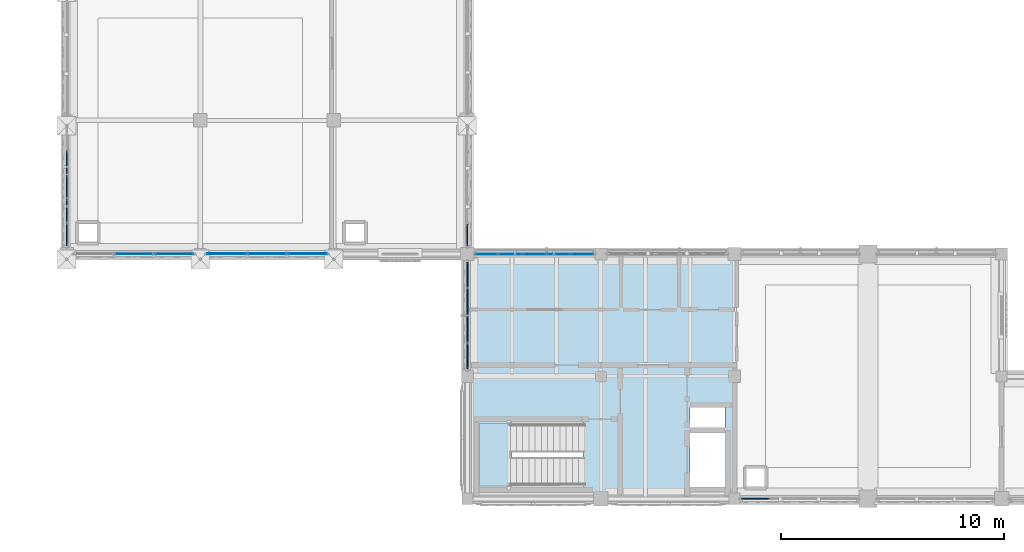
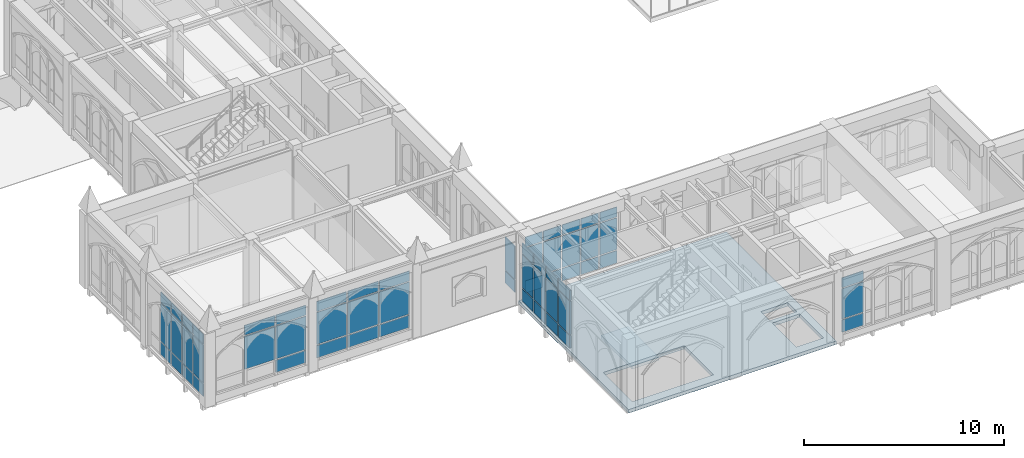
# One storey, part 63 of 127: 58 plates, 2 slabs, 8 elements without a shape of their own.
"""IFC4 building model written with IfcOpenShell, lengths in metres."""

from ifc_helpers import new_model, si_unit, direction, frame, origin, origin_2d, place, context, subcontext, project, spatial, polyline, rectangle, outline, extrude, material, layer, layer_set, type_object, element, aggregate, save


model = new_model("IFC4")

# Units and contexts
model_context = context("Model", 3, precision=1e-05, world=origin(), true_north=direction((0.0, 1.0)))
body_context = subcontext(model_context, "Body", "Model", "MODEL_VIEW")
ifc_project = project(units=[si_unit("LENGTHUNIT", "METRE"), si_unit("AREAUNIT", "SQUARE_METRE"), si_unit("VOLUMEUNIT", "CUBIC_METRE"), si_unit("PLANEANGLEUNIT", "RADIAN"), si_unit("MASSUNIT", "GRAM", prefix="KILO")], contexts=[model_context])

# Site, building, storey
site_placement = place(None, origin())
site = spatial("IfcSite", under=ifc_project, at=site_placement, CompositionType="ELEMENT")
building_placement = place(site_placement, origin())
building = spatial("IfcBuilding", under=site, at=building_placement, Name="Cumevento Cable Car Station", CompositionType="ELEMENT")
storey_placement = place(building_placement, frame((0.0, 0.0, 4.5)))
storey = spatial("IfcBuildingStorey", under=building, at=storey_placement, Name="L02", CompositionType="ELEMENT", Elevation=4.5)

# Slab
ifc_material_1 = material(Name="Concrete C40/50", Category="concrete")
ifc_layer_1 = layer(ifc_material_1, 0.2119140625)
ifc_layer_set_1 = layer_set([ifc_layer_1], Name="Concrete C40/50")
slab_type_1 = type_object("IfcSlabType", Name="Concrete Deck FS-212 212", PredefinedType="FLOOR", material=ifc_layer_set_1)
slab_1_placement = place(storey_placement, frame((0.0, 0.0, -0.2119140625)))
element("IfcSlab", 1, at=slab_1_placement, inside=storey, type_object=slab_type_1, Name="Floor Slab FS-212 L02 B_V1a.1", PredefinedType="FLOOR", context=body_context, shape_type="SweptSolid", body=[
    extrude(outline(polyline([(22.0, 4.0), (34.0, 4.0), (34.0, 15.0), (22.0, 15.0), (22.0, 4.0)]), holes=[polyline([(32.010009765625, 4.5400390625), (33.580078125, 4.5400390625), (33.580078125, 6.9599609375), (32.010009765625, 6.9599609375), (32.010009765625, 4.5400390625)]), polyline([(22.52001953125, 4.52001953125), (27.199951171875, 4.52001953125), (27.199951171875, 7.449951171875), (22.52001953125, 7.449951171875), (22.52001953125, 4.52001953125)]), polyline([(32.010009765625, 7.199951171875), (33.580078125, 7.199951171875), (33.580078125, 8.10009765625), (32.010009765625, 8.10009765625), (32.010009765625, 7.199951171875)])]), origin(), (0.0, 0.0, 1.0), 0.2119140625),
])

# Curtain wall, plates
ifc_material_2 = material(Name="Anodised Bronze Aluminium AW-6063-T6", Category="aluminium")
ifc_layer_2 = layer(ifc_material_2, 0.172119140625)
ifc_layer_set_2 = layer_set([ifc_layer_2], Name="Anodised Bronze Aluminium AW-6063-T6")
curtain_wall_type_1 = type_object("IfcCurtainWallType", Name="Lancet Curtain Wall CW-03 1130", PredefinedType="NOTDEFINED", material=ifc_layer_set_2)
curtain_wall_1_placement = place(storey_placement, origin())
curtain_wall_1 = element("IfcCurtainWall", 2, at=curtain_wall_1_placement, inside=storey, type_object=curtain_wall_type_1, Name="Lancet Curtain Wall CW-03 L02 #18", PredefinedType="NOTDEFINED")
ifc_material_3 = material(Name="Solar Control Laminated Double Glazing", Category="glass")
ifc_layer_3 = layer(ifc_material_3, 0.0380859375)
ifc_layer_set_3 = layer_set([ifc_layer_3], Name="Solar Control Laminated Double Glazing")
plate_type_1 = type_object("IfcPlateType", Name="Glazed Panel CWP-05 38", PredefinedType="CURTAIN_PANEL", material=ifc_layer_set_3)
plate_1_placement = place(storey_placement, frame((22.858642578125, 15.0, 0.324951171875), z_axis=(0.0, 0.0, 1.0), x_axis=(1.0, 0.0, 0.0)))
plate_1 = element("IfcPlate", 3, at=plate_1_placement, type_object=plate_type_1, Name="CW-03 panel 1.1", PredefinedType="CURTAIN_PANEL", context=body_context, shape_type="SweptSolid", body=[
    extrude(rectangle(XDim=0.987548828125, YDim=0.0380859375, at=origin_2d()), origin(), (0.0, 0.0, 1.0), 0.75244140625),
])
plate_2_placement = place(storey_placement, frame((22.858642578125, 15.0, 1.142578125), z_axis=(0.0, 0.0, 1.0), x_axis=(1.0, 0.0, 0.0)))
plate_2 = element("IfcPlate", 4, at=plate_2_placement, type_object=plate_type_1, Name="CW-03 panel 1.2", PredefinedType="CURTAIN_PANEL", context=body_context, shape_type="SweptSolid", body=[
    extrude(rectangle(XDim=0.987548828125, YDim=0.0380859375, at=origin_2d()), origin(), (0.0, 0.0, 1.0), 1.93408203125),
])
plate_3_placement = place(storey_placement, frame((22.858642578125, 15.0, 3.1416015625), z_axis=(0.0, 0.0, 1.0), x_axis=(1.0, 0.0, 0.0)))
plate_3 = element("IfcPlate", 5, at=plate_3_placement, type_object=plate_type_1, Name="CW-03 panel 1.3", PredefinedType="CURTAIN_PANEL", context=body_context, shape_type="SweptSolid", body=[
    extrude(rectangle(XDim=0.987548828125, YDim=0.0380859375, at=origin_2d()), origin(), (0.0, 0.0, 1.0), 0.6025390625),
])
plate_4_placement = place(storey_placement, frame((23.927490234375, 15.0, 0.324951171875), z_axis=(0.0, 0.0, 1.0), x_axis=(1.0, 0.0, 0.0)))
plate_4 = element("IfcPlate", 6, at=plate_4_placement, type_object=plate_type_1, Name="CW-03 panel 2.1", PredefinedType="CURTAIN_PANEL", context=body_context, shape_type="SweptSolid", body=[
    extrude(rectangle(XDim=1.02001953125, YDim=0.0380859375, at=origin_2d()), origin(), (0.0, 0.0, 1.0), 0.75244140625),
])
plate_5_placement = place(storey_placement, frame((23.927490234375, 15.0, 1.142578125), z_axis=(0.0, 0.0, 1.0), x_axis=(1.0, 0.0, 0.0)))
plate_5 = element("IfcPlate", 7, at=plate_5_placement, type_object=plate_type_1, Name="CW-03 panel 2.2", PredefinedType="CURTAIN_PANEL", context=body_context, shape_type="SweptSolid", body=[
    extrude(rectangle(XDim=1.02001953125, YDim=0.0380859375, at=origin_2d()), origin(), (0.0, 0.0, 1.0), 1.93408203125),
])
plate_6_placement = place(storey_placement, frame((23.927490234375, 15.0, 3.1416015625), z_axis=(0.0, 0.0, 1.0), x_axis=(1.0, 0.0, 0.0)))
plate_6 = element("IfcPlate", 8, at=plate_6_placement, type_object=plate_type_1, Name="CW-03 panel 2.3", PredefinedType="CURTAIN_PANEL", context=body_context, shape_type="SweptSolid", body=[
    extrude(rectangle(XDim=1.02001953125, YDim=0.0380859375, at=origin_2d()), origin(), (0.0, 0.0, 1.0), 0.6025390625),
])
plate_7_placement = place(storey_placement, frame((25.012451171875, 15.0, 0.324951171875), z_axis=(0.0, 0.0, 1.0), x_axis=(1.0, 0.0, 0.0)))
plate_7 = element("IfcPlate", 9, at=plate_7_placement, type_object=plate_type_1, Name="CW-03 panel 3.1", PredefinedType="CURTAIN_PANEL", context=body_context, shape_type="SweptSolid", body=[
    extrude(rectangle(XDim=1.02001953125, YDim=0.0380859375, at=origin_2d()), origin(), (0.0, 0.0, 1.0), 0.75244140625),
])
plate_8_placement = place(storey_placement, frame((25.012451171875, 15.0, 1.142578125), z_axis=(0.0, 0.0, 1.0), x_axis=(1.0, 0.0, 0.0)))
plate_8 = element("IfcPlate", 10, at=plate_8_placement, type_object=plate_type_1, Name="CW-03 panel 3.2", PredefinedType="CURTAIN_PANEL", context=body_context, shape_type="SweptSolid", body=[
    extrude(rectangle(XDim=1.02001953125, YDim=0.0380859375, at=origin_2d()), origin(), (0.0, 0.0, 1.0), 1.93408203125),
])
plate_9_placement = place(storey_placement, frame((25.012451171875, 15.0, 3.1416015625), z_axis=(0.0, 0.0, 1.0), x_axis=(1.0, 0.0, 0.0)))
plate_9 = element("IfcPlate", 11, at=plate_9_placement, type_object=plate_type_1, Name="CW-03 panel 3.3", PredefinedType="CURTAIN_PANEL", context=body_context, shape_type="SweptSolid", body=[
    extrude(rectangle(XDim=1.02001953125, YDim=0.0380859375, at=origin_2d()), origin(), (0.0, 0.0, 1.0), 0.6025390625),
])
plate_10_placement = place(storey_placement, frame((26.097412109375, 15.0, 0.324951171875), z_axis=(0.0, 0.0, 1.0), x_axis=(1.0, 0.0, 0.0)))
plate_10 = element("IfcPlate", 12, at=plate_10_placement, type_object=plate_type_1, Name="CW-03 panel 4.1", PredefinedType="CURTAIN_PANEL", context=body_context, shape_type="SweptSolid", body=[
    extrude(rectangle(XDim=1.02001953125, YDim=0.0380859375, at=origin_2d()), origin(), (0.0, 0.0, 1.0), 0.75244140625),
])
plate_11_placement = place(storey_placement, frame((26.097412109375, 15.0, 1.142578125), z_axis=(0.0, 0.0, 1.0), x_axis=(1.0, 0.0, 0.0)))
plate_11 = element("IfcPlate", 13, at=plate_11_placement, type_object=plate_type_1, Name="CW-03 panel 4.2", PredefinedType="CURTAIN_PANEL", context=body_context, shape_type="SweptSolid", body=[
    extrude(rectangle(XDim=1.02001953125, YDim=0.0380859375, at=origin_2d()), origin(), (0.0, 0.0, 1.0), 1.93408203125),
])
plate_12_placement = place(storey_placement, frame((26.097412109375, 15.0, 3.1416015625), z_axis=(0.0, 0.0, 1.0), x_axis=(1.0, 0.0, 0.0)))
plate_12 = element("IfcPlate", 14, at=plate_12_placement, type_object=plate_type_1, Name="CW-03 panel 4.3", PredefinedType="CURTAIN_PANEL", context=body_context, shape_type="SweptSolid", body=[
    extrude(rectangle(XDim=1.02001953125, YDim=0.0380859375, at=origin_2d()), origin(), (0.0, 0.0, 1.0), 0.6025390625),
])
plate_13_placement = place(storey_placement, frame((27.166259765625, 15.0, 0.324951171875), z_axis=(0.0, 0.0, 1.0), x_axis=(1.0, 0.0, 0.0)))
plate_13 = element("IfcPlate", 15, at=plate_13_placement, type_object=plate_type_1, Name="CW-03 panel 5.1", PredefinedType="CURTAIN_PANEL", context=body_context, shape_type="SweptSolid", body=[
    extrude(rectangle(XDim=0.987548828125, YDim=0.0380859375, at=origin_2d()), origin(), (0.0, 0.0, 1.0), 0.75244140625),
])
plate_14_placement = place(storey_placement, frame((27.166259765625, 15.0, 1.142578125), z_axis=(0.0, 0.0, 1.0), x_axis=(1.0, 0.0, 0.0)))
plate_14 = element("IfcPlate", 16, at=plate_14_placement, type_object=plate_type_1, Name="CW-03 panel 5.2", PredefinedType="CURTAIN_PANEL", context=body_context, shape_type="SweptSolid", body=[
    extrude(rectangle(XDim=0.987548828125, YDim=0.0380859375, at=origin_2d()), origin(), (0.0, 0.0, 1.0), 1.93408203125),
])
plate_15_placement = place(storey_placement, frame((27.166259765625, 15.0, 3.1416015625), z_axis=(0.0, 0.0, 1.0), x_axis=(1.0, 0.0, 0.0)))
plate_15 = element("IfcPlate", 17, at=plate_15_placement, type_object=plate_type_1, Name="CW-03 panel 5.3", PredefinedType="CURTAIN_PANEL", context=body_context, shape_type="SweptSolid", body=[
    extrude(rectangle(XDim=0.987548828125, YDim=0.0380859375, at=origin_2d()), origin(), (0.0, 0.0, 1.0), 0.6025390625),
])
aggregate(curtain_wall_1, [plate_1, plate_2, plate_3, plate_4, plate_5, plate_6, plate_7, plate_8, plate_9, plate_10, plate_11, plate_12, plate_13, plate_14, plate_15])

ifc_material_4 = material(Name="Anodised Bronze Aluminium AW-6063-T6", Category="aluminium")
ifc_layer_4 = layer(ifc_material_4, 0.243896484375)
ifc_layer_set_4 = layer_set([ifc_layer_4], Name="Anodised Bronze Aluminium AW-6063-T6")
curtain_wall_type_2 = type_object("IfcCurtainWallType", Name="Lancet Curtain Wall CW-15 1610", PredefinedType="NOTDEFINED", material=ifc_layer_set_4)
curtain_wall_2_placement = place(storey_placement, origin())
curtain_wall_2 = element("IfcCurtainWall", 18, at=curtain_wall_2_placement, inside=storey, type_object=curtain_wall_type_2, Name="Lancet Curtain Wall CW-15 L02 #46", PredefinedType="NOTDEFINED")
plate_16_placement = place(storey_placement, frame((8.825439453125, 15.0, 0.525146484375), z_axis=(0.0, 0.0, 1.0), x_axis=(-1.0, 0.0, 0.0)))
plate_16 = element("IfcPlate", 19, at=plate_16_placement, type_object=plate_type_1, Name="CW-15 panel 1.1", PredefinedType="CURTAIN_PANEL", context=body_context, shape_type="SweptSolid", body=[
    extrude(rectangle(XDim=1.71923828125, YDim=0.0380859375, at=origin_2d()), origin(), (0.0, 0.0, 1.0), 0.75244140625),
])
plate_17_placement = place(storey_placement, frame((8.825439453125, 15.0, 1.342529296875), z_axis=(0.0, 0.0, 1.0), x_axis=(-1.0, 0.0, 0.0)))
plate_17 = element("IfcPlate", 20, at=plate_17_placement, type_object=plate_type_1, Name="CW-15 panel 1.2", PredefinedType="CURTAIN_PANEL", context=body_context, shape_type="SweptSolid", body=[
    extrude(rectangle(XDim=1.71923828125, YDim=0.0380859375, at=origin_2d()), origin(), (0.0, 0.0, 1.0), 2.01806640625),
])
plate_18_placement = place(storey_placement, frame((8.825439453125, 15.0, 3.425537109375), z_axis=(0.0, 0.0, 1.0), x_axis=(-1.0, 0.0, 0.0)))
plate_18 = element("IfcPlate", 21, at=plate_18_placement, type_object=plate_type_1, Name="CW-15 panel 1.3", PredefinedType="CURTAIN_PANEL", context=body_context, shape_type="SweptSolid", body=[
    extrude(rectangle(XDim=1.71923828125, YDim=0.0380859375, at=origin_2d()), origin(), (0.0, 0.0, 1.0), 0.6025390625),
])
plate_19_placement = place(storey_placement, frame((7.02490234375, 15.0, 1.342529296875), z_axis=(0.0, 0.0, 1.0), x_axis=(-1.0, 0.0, 0.0)))
plate_19 = element("IfcPlate", 22, at=plate_19_placement, type_object=plate_type_1, Name="CW-15 panel 2.2", PredefinedType="CURTAIN_PANEL", context=body_context, shape_type="SweptSolid", body=[
    extrude(rectangle(XDim=1.751708984375, YDim=0.0380859375, at=origin_2d()), origin(), (0.0, 0.0, 1.0), 2.01806640625),
])
plate_20_placement = place(storey_placement, frame((7.02490234375, 15.0, 3.425537109375), z_axis=(0.0, 0.0, 1.0), x_axis=(-1.0, 0.0, 0.0)))
plate_20 = element("IfcPlate", 23, at=plate_20_placement, type_object=plate_type_1, Name="CW-15 panel 2.3", PredefinedType="CURTAIN_PANEL", context=body_context, shape_type="SweptSolid", body=[
    extrude(rectangle(XDim=1.751708984375, YDim=0.0380859375, at=origin_2d()), origin(), (0.0, 0.0, 1.0), 0.6025390625),
])
aggregate(curtain_wall_2, [plate_16, plate_17, plate_18, plate_19, plate_20])

ifc_material_5 = material(Name="Anodised Bronze Aluminium AW-6063-T6", Category="aluminium")
ifc_layer_5 = layer(ifc_material_5, 0.25)
ifc_layer_set_5 = layer_set([ifc_layer_5], Name="Anodised Bronze Aluminium AW-6063-T6")
curtain_wall_type_3 = type_object("IfcCurtainWallType", Name="Lancet Curtain Wall CW-16 1650", PredefinedType="NOTDEFINED", material=ifc_layer_set_5)
curtain_wall_3_placement = place(storey_placement, origin())
curtain_wall_3 = element("IfcCurtainWall", 24, at=curtain_wall_3_placement, inside=storey, type_object=curtain_wall_type_3, Name="Lancet Curtain Wall CW-16 L02 #47", PredefinedType="NOTDEFINED")
ifc_material_6 = material(Name="Solar Control Laminated Double Glazing", Category="glass")
ifc_layer_6 = layer(ifc_material_6, 0.0419921875)
ifc_layer_set_6 = layer_set([ifc_layer_6], Name="Solar Control Laminated Double Glazing")
plate_type_2 = type_object("IfcPlateType", Name="Glazed Panel CWP-06 42", PredefinedType="CURTAIN_PANEL", material=ifc_layer_set_6)
plate_21_placement = place(storey_placement, frame((14.817138671875, 15.0, 0.5849609375), z_axis=(0.0, 0.0, 1.0), x_axis=(-1.0, 0.0, 0.0)))
plate_21 = element("IfcPlate", 25, at=plate_21_placement, type_object=plate_type_2, Name="CW-16 panel 1.1", PredefinedType="CURTAIN_PANEL", context=body_context, shape_type="SweptSolid", body=[
    extrude(rectangle(XDim=1.73583984375, YDim=0.0419921875, at=origin_2d()), origin(), (0.0, 0.0, 1.0), 0.75244140625),
])
plate_22_placement = place(storey_placement, frame((14.817138671875, 15.0, 1.402587890625), z_axis=(0.0, 0.0, 1.0), x_axis=(-1.0, 0.0, 0.0)))
plate_22 = element("IfcPlate", 26, at=plate_22_placement, type_object=plate_type_2, Name="CW-16 panel 1.2", PredefinedType="CURTAIN_PANEL", context=body_context, shape_type="SweptSolid", body=[
    extrude(rectangle(XDim=1.73583984375, YDim=0.0419921875, at=origin_2d()), origin(), (0.0, 0.0, 1.0), 1.9580078125),
])
plate_23_placement = place(storey_placement, frame((14.817138671875, 15.0, 3.425537109375), z_axis=(0.0, 0.0, 1.0), x_axis=(-1.0, 0.0, 0.0)))
plate_23 = element("IfcPlate", 27, at=plate_23_placement, type_object=plate_type_2, Name="CW-16 panel 1.3", PredefinedType="CURTAIN_PANEL", context=body_context, shape_type="SweptSolid", body=[
    extrude(rectangle(XDim=1.73583984375, YDim=0.0419921875, at=origin_2d()), origin(), (0.0, 0.0, 1.0), 0.6025390625),
])
plate_24_placement = place(storey_placement, frame((13.0, 15.0, 0.5849609375), z_axis=(0.0, 0.0, 1.0), x_axis=(-1.0, 0.0, 0.0)))
plate_24 = element("IfcPlate", 28, at=plate_24_placement, type_object=plate_type_2, Name="CW-16 panel 2.1", PredefinedType="CURTAIN_PANEL", context=body_context, shape_type="SweptSolid", body=[
    extrude(rectangle(XDim=1.768310546875, YDim=0.0419921875, at=origin_2d()), origin(), (0.0, 0.0, 1.0), 0.75244140625),
])
plate_25_placement = place(storey_placement, frame((13.0, 15.0, 1.402587890625), z_axis=(0.0, 0.0, 1.0), x_axis=(-1.0, 0.0, 0.0)))
plate_25 = element("IfcPlate", 29, at=plate_25_placement, type_object=plate_type_2, Name="CW-16 panel 2.2", PredefinedType="CURTAIN_PANEL", context=body_context, shape_type="SweptSolid", body=[
    extrude(rectangle(XDim=1.768310546875, YDim=0.0419921875, at=origin_2d()), origin(), (0.0, 0.0, 1.0), 1.9580078125),
])
plate_26_placement = place(storey_placement, frame((13.0, 15.0, 3.425537109375), z_axis=(0.0, 0.0, 1.0), x_axis=(-1.0, 0.0, 0.0)))
plate_26 = element("IfcPlate", 30, at=plate_26_placement, type_object=plate_type_2, Name="CW-16 panel 2.3", PredefinedType="CURTAIN_PANEL", context=body_context, shape_type="SweptSolid", body=[
    extrude(rectangle(XDim=1.768310546875, YDim=0.0419921875, at=origin_2d()), origin(), (0.0, 0.0, 1.0), 0.6025390625),
])
plate_27_placement = place(storey_placement, frame((11.182861328125, 15.0, 0.5849609375), z_axis=(0.0, 0.0, 1.0), x_axis=(-1.0, 0.0, 0.0)))
plate_27 = element("IfcPlate", 31, at=plate_27_placement, type_object=plate_type_2, Name="CW-16 panel 3.1", PredefinedType="CURTAIN_PANEL", context=body_context, shape_type="SweptSolid", body=[
    extrude(rectangle(XDim=1.73583984375, YDim=0.0419921875, at=origin_2d()), origin(), (0.0, 0.0, 1.0), 0.75244140625),
])
plate_28_placement = place(storey_placement, frame((11.182861328125, 15.0, 1.402587890625), z_axis=(0.0, 0.0, 1.0), x_axis=(-1.0, 0.0, 0.0)))
plate_28 = element("IfcPlate", 32, at=plate_28_placement, type_object=plate_type_2, Name="CW-16 panel 3.2", PredefinedType="CURTAIN_PANEL", context=body_context, shape_type="SweptSolid", body=[
    extrude(rectangle(XDim=1.73583984375, YDim=0.0419921875, at=origin_2d()), origin(), (0.0, 0.0, 1.0), 1.9580078125),
])
plate_29_placement = place(storey_placement, frame((11.182861328125, 15.0, 3.425537109375), z_axis=(0.0, 0.0, 1.0), x_axis=(-1.0, 0.0, 0.0)))
plate_29 = element("IfcPlate", 33, at=plate_29_placement, type_object=plate_type_2, Name="CW-16 panel 3.3", PredefinedType="CURTAIN_PANEL", context=body_context, shape_type="SweptSolid", body=[
    extrude(rectangle(XDim=1.73583984375, YDim=0.0419921875, at=origin_2d()), origin(), (0.0, 0.0, 1.0), 0.6025390625),
])
aggregate(curtain_wall_3, [plate_21, plate_22, plate_23, plate_24, plate_25, plate_26, plate_27, plate_28, plate_29])

ifc_material_7 = material(Name="Anodised Bronze Aluminium AW-6063-T6", Category="aluminium")
ifc_layer_7 = layer(ifc_material_7, 0.18408203125)
ifc_layer_set_7 = layer_set([ifc_layer_7], Name="Anodised Bronze Aluminium AW-6063-T6")
curtain_wall_type_4 = type_object("IfcCurtainWallType", Name="Lancet Curtain Wall CW-05 1210", PredefinedType="NOTDEFINED", material=ifc_layer_set_7)
curtain_wall_4_placement = place(storey_placement, origin())
curtain_wall_4 = element("IfcCurtainWall", 34, at=curtain_wall_4_placement, inside=storey, type_object=curtain_wall_type_4, Name="Lancet Curtain Wall CW-05 L02 #20", PredefinedType="NOTDEFINED")
ifc_material_8 = material(Name="Solar Control Laminated Double Glazing", Category="glass")
ifc_layer_8 = layer(ifc_material_8, 0.0458984375)
ifc_layer_set_8 = layer_set([ifc_layer_8], Name="Solar Control Laminated Double Glazing")
plate_type_3 = type_object("IfcPlateType", Name="Glazed Panel CWP-07 46", PredefinedType="CURTAIN_PANEL", material=ifc_layer_set_8)
plate_30_placement = place(storey_placement, frame((34.93505859375, 4.0, 0.425048828125), z_axis=(0.0, 0.0, 1.0), x_axis=(-1.0, 0.0, 0.0)))
plate_30 = element("IfcPlate", 35, at=plate_30_placement, type_object=plate_type_3, Name="CW-05 panel 4.1", PredefinedType="CURTAIN_PANEL", context=body_context, shape_type="SweptSolid", body=[
    extrude(rectangle(XDim=1.239990234375, YDim=0.0458984375, at=origin_2d()), origin(), (0.0, 0.0, 1.0), 0.75244140625),
])
plate_31_placement = place(storey_placement, frame((34.93505859375, 4.0, 1.242431640625), z_axis=(0.0, 0.0, 1.0), x_axis=(-1.0, 0.0, 0.0)))
plate_31 = element("IfcPlate", 36, at=plate_31_placement, type_object=plate_type_3, Name="CW-05 panel 4.2", PredefinedType="CURTAIN_PANEL", context=body_context, shape_type="SweptSolid", body=[
    extrude(rectangle(XDim=1.239990234375, YDim=0.0458984375, at=origin_2d()), origin(), (0.0, 0.0, 1.0), 1.833984375),
])
plate_32_placement = place(storey_placement, frame((34.93505859375, 4.0, 3.1416015625), z_axis=(0.0, 0.0, 1.0), x_axis=(-1.0, 0.0, 0.0)))
plate_32 = element("IfcPlate", 37, at=plate_32_placement, type_object=plate_type_3, Name="CW-05 panel 4.3", PredefinedType="CURTAIN_PANEL", context=body_context, shape_type="SweptSolid", body=[
    extrude(rectangle(XDim=1.239990234375, YDim=0.0458984375, at=origin_2d()), origin(), (0.0, 0.0, 1.0), 0.6025390625),
])
aggregate(curtain_wall_4, [plate_30, plate_31, plate_32])

ifc_material_9 = material(Name="Anodised Bronze Aluminium AW-6063-T6", Category="aluminium")
ifc_layer_9 = layer(ifc_material_9, 0.159912109375)
ifc_layer_set_9 = layer_set([ifc_layer_9], Name="Anodised Bronze Aluminium AW-6063-T6")
curtain_wall_type_5 = type_object("IfcCurtainWallType", Name="Lancet Curtain Wall CW-01 1050", PredefinedType="NOTDEFINED", material=ifc_layer_set_9)
curtain_wall_5_placement = place(storey_placement, origin())
curtain_wall_5 = element("IfcCurtainWall", 38, at=curtain_wall_5_placement, inside=storey, type_object=curtain_wall_type_5, Name="Lancet Curtain Wall CW-01 L02 #48", PredefinedType="NOTDEFINED")
plate_33_placement = place(storey_placement, frame((4.0, 15.861328125, 0.22509765625), z_axis=(0.0, 0.0, 1.0), x_axis=(0.0, 1.0, 0.0)))
plate_33 = element("IfcPlate", 39, at=plate_33_placement, type_object=plate_type_3, Name="CW-01 panel 1.1", PredefinedType="CURTAIN_PANEL", context=body_context, shape_type="SweptSolid", body=[
    extrude(rectangle(XDim=0.992431640625, YDim=0.0458984375, at=origin_2d()), origin(), (0.0, 0.0, 1.0), 0.75244140625),
])
plate_34_placement = place(storey_placement, frame((4.0, 15.861328125, 1.04248046875), z_axis=(0.0, 0.0, 1.0), x_axis=(0.0, 1.0, 0.0)))
plate_34 = element("IfcPlate", 40, at=plate_34_placement, type_object=plate_type_3, Name="CW-01 panel 1.2", PredefinedType="CURTAIN_PANEL", context=body_context, shape_type="SweptSolid", body=[
    extrude(rectangle(XDim=0.992431640625, YDim=0.0458984375, at=origin_2d()), origin(), (0.0, 0.0, 1.0), 2.318115234375),
])
plate_35_placement = place(storey_placement, frame((4.0, 15.861328125, 3.425537109375), z_axis=(0.0, 0.0, 1.0), x_axis=(0.0, 1.0, 0.0)))
plate_35 = element("IfcPlate", 41, at=plate_35_placement, type_object=plate_type_3, Name="CW-01 panel 1.3", PredefinedType="CURTAIN_PANEL", context=body_context, shape_type="SweptSolid", body=[
    extrude(rectangle(XDim=0.992431640625, YDim=0.0458984375, at=origin_2d()), origin(), (0.0, 0.0, 1.0), 0.6025390625),
])
plate_36_placement = place(storey_placement, frame((4.0, 16.93505859375, 0.22509765625), z_axis=(0.0, 0.0, 1.0), x_axis=(0.0, 1.0, 0.0)))
plate_36 = element("IfcPlate", 42, at=plate_36_placement, type_object=plate_type_3, Name="CW-01 panel 2.1", PredefinedType="CURTAIN_PANEL", context=body_context, shape_type="SweptSolid", body=[
    extrude(rectangle(XDim=1.02490234375, YDim=0.0458984375, at=origin_2d()), origin(), (0.0, 0.0, 1.0), 0.75244140625),
])
plate_37_placement = place(storey_placement, frame((4.0, 16.93505859375, 1.04248046875), z_axis=(0.0, 0.0, 1.0), x_axis=(0.0, 1.0, 0.0)))
plate_37 = element("IfcPlate", 43, at=plate_37_placement, type_object=plate_type_3, Name="CW-01 panel 2.2", PredefinedType="CURTAIN_PANEL", context=body_context, shape_type="SweptSolid", body=[
    extrude(rectangle(XDim=1.02490234375, YDim=0.0458984375, at=origin_2d()), origin(), (0.0, 0.0, 1.0), 2.318115234375),
])
plate_38_placement = place(storey_placement, frame((4.0, 16.93505859375, 3.425537109375), z_axis=(0.0, 0.0, 1.0), x_axis=(0.0, 1.0, 0.0)))
plate_38 = element("IfcPlate", 44, at=plate_38_placement, type_object=plate_type_3, Name="CW-01 panel 2.3", PredefinedType="CURTAIN_PANEL", context=body_context, shape_type="SweptSolid", body=[
    extrude(rectangle(XDim=1.02490234375, YDim=0.0458984375, at=origin_2d()), origin(), (0.0, 0.0, 1.0), 0.6025390625),
])
plate_39_placement = place(storey_placement, frame((4.0, 18.02490234375, 0.22509765625), z_axis=(0.0, 0.0, 1.0), x_axis=(0.0, 1.0, 0.0)))
plate_39 = element("IfcPlate", 45, at=plate_39_placement, type_object=plate_type_3, Name="CW-01 panel 3.1", PredefinedType="CURTAIN_PANEL", context=body_context, shape_type="SweptSolid", body=[
    extrude(rectangle(XDim=1.02490234375, YDim=0.0458984375, at=origin_2d()), origin(), (0.0, 0.0, 1.0), 0.75244140625),
])
plate_40_placement = place(storey_placement, frame((4.0, 18.02490234375, 1.04248046875), z_axis=(0.0, 0.0, 1.0), x_axis=(0.0, 1.0, 0.0)))
plate_40 = element("IfcPlate", 46, at=plate_40_placement, type_object=plate_type_3, Name="CW-01 panel 3.2", PredefinedType="CURTAIN_PANEL", context=body_context, shape_type="SweptSolid", body=[
    extrude(rectangle(XDim=1.02490234375, YDim=0.0458984375, at=origin_2d()), origin(), (0.0, 0.0, 1.0), 2.318115234375),
])
plate_41_placement = place(storey_placement, frame((4.0, 18.02490234375, 3.425537109375), z_axis=(0.0, 0.0, 1.0), x_axis=(0.0, 1.0, 0.0)))
plate_41 = element("IfcPlate", 47, at=plate_41_placement, type_object=plate_type_3, Name="CW-01 panel 3.3", PredefinedType="CURTAIN_PANEL", context=body_context, shape_type="SweptSolid", body=[
    extrude(rectangle(XDim=1.02490234375, YDim=0.0458984375, at=origin_2d()), origin(), (0.0, 0.0, 1.0), 0.6025390625),
])
plate_42_placement = place(storey_placement, frame((4.0, 19.114990234375, 0.22509765625), z_axis=(0.0, 0.0, 1.0), x_axis=(0.0, 1.0, 0.0)))
plate_42 = element("IfcPlate", 48, at=plate_42_placement, type_object=plate_type_3, Name="CW-01 panel 4.1", PredefinedType="CURTAIN_PANEL", context=body_context, shape_type="SweptSolid", body=[
    extrude(rectangle(XDim=1.02490234375, YDim=0.0458984375, at=origin_2d()), origin(), (0.0, 0.0, 1.0), 0.75244140625),
])
plate_43_placement = place(storey_placement, frame((4.0, 19.114990234375, 1.04248046875), z_axis=(0.0, 0.0, 1.0), x_axis=(0.0, 1.0, 0.0)))
plate_43 = element("IfcPlate", 49, at=plate_43_placement, type_object=plate_type_3, Name="CW-01 panel 4.2", PredefinedType="CURTAIN_PANEL", context=body_context, shape_type="SweptSolid", body=[
    extrude(rectangle(XDim=1.02490234375, YDim=0.0458984375, at=origin_2d()), origin(), (0.0, 0.0, 1.0), 2.318115234375),
])
plate_44_placement = place(storey_placement, frame((4.0, 19.114990234375, 3.425537109375), z_axis=(0.0, 0.0, 1.0), x_axis=(0.0, 1.0, 0.0)))
plate_44 = element("IfcPlate", 50, at=plate_44_placement, type_object=plate_type_3, Name="CW-01 panel 4.3", PredefinedType="CURTAIN_PANEL", context=body_context, shape_type="SweptSolid", body=[
    extrude(rectangle(XDim=1.02490234375, YDim=0.0458984375, at=origin_2d()), origin(), (0.0, 0.0, 1.0), 0.6025390625),
])
aggregate(curtain_wall_5, [plate_33, plate_34, plate_35, plate_36, plate_37, plate_38, plate_39, plate_40, plate_41, plate_42, plate_43, plate_44])

ifc_material_10 = material(Name="Anodised Bronze Aluminium AW-6063-T6", Category="aluminium")
ifc_layer_10 = layer(ifc_material_10, 0.166015625)
ifc_layer_set_10 = layer_set([ifc_layer_10], Name="Anodised Bronze Aluminium AW-6063-T6")
curtain_wall_type_6 = type_object("IfcCurtainWallType", Name="Lancet Curtain Wall CW-02 1090", PredefinedType="NOTDEFINED", material=ifc_layer_set_10)
curtain_wall_6_placement = place(storey_placement, origin())
curtain_wall_6 = element("IfcCurtainWall", 51, at=curtain_wall_6_placement, inside=storey, type_object=curtain_wall_type_6, Name="Lancet Curtain Wall CW-02 L02 #49", PredefinedType="NOTDEFINED")
ifc_material_11 = material(Name="Solar Control Laminated Double Glazing", Category="glass")
ifc_layer_11 = layer(ifc_material_11, 0.050048828125)
ifc_layer_set_11 = layer_set([ifc_layer_11], Name="Solar Control Laminated Double Glazing")
plate_type_4 = type_object("IfcPlateType", Name="Glazed Panel CWP-08 50", PredefinedType="CURTAIN_PANEL", material=ifc_layer_set_11)
plate_45_placement = place(storey_placement, frame((22.0, 15.853759765625, 0.275146484375), z_axis=(0.0, 0.0, 1.0), x_axis=(0.0, -1.0, 0.0)))
plate_45 = element("IfcPlate", 52, at=plate_45_placement, type_object=plate_type_4, Name="CW-02 panel 5.1", PredefinedType="CURTAIN_PANEL", context=body_context, shape_type="SweptSolid", body=[
    extrude(rectangle(XDim=0.9775390625, YDim=0.050048828125, at=origin_2d()), origin(), (0.0, 0.0, 1.0), 0.75244140625),
])
plate_46_placement = place(storey_placement, frame((22.0, 15.853759765625, 1.092529296875), z_axis=(0.0, 0.0, 1.0), x_axis=(0.0, -1.0, 0.0)))
plate_46 = element("IfcPlate", 53, at=plate_46_placement, type_object=plate_type_4, Name="CW-02 panel 5.2", PredefinedType="CURTAIN_PANEL", context=body_context, shape_type="SweptSolid", body=[
    extrude(rectangle(XDim=0.9775390625, YDim=0.050048828125, at=origin_2d()), origin(), (0.0, 0.0, 1.0), 1.98388671875),
])
aggregate(curtain_wall_6, [plate_45, plate_46])

ifc_material_12 = material(Name="Anodised Bronze Aluminium AW-6063-T6", Category="aluminium")
ifc_layer_12 = layer(ifc_material_12, 0.2080078125)
ifc_layer_set_12 = layer_set([ifc_layer_12], Name="Anodised Bronze Aluminium AW-6063-T6")
curtain_wall_type_7 = type_object("IfcCurtainWallType", Name="Lancet Curtain Wall CW-09 1370", PredefinedType="NOTDEFINED", material=ifc_layer_set_12)
curtain_wall_7_placement = place(storey_placement, origin())
curtain_wall_7 = element("IfcCurtainWall", 54, at=curtain_wall_7_placement, inside=storey, type_object=curtain_wall_type_7, Name="Lancet Curtain Wall CW-09 L02 #24", PredefinedType="NOTDEFINED")
ifc_material_13 = material(Name="Insulated Bronze Aluminium Spandrel Panel", Category="aluminium")
ifc_layer_13 = layer(ifc_material_13, 0.06591796875)
ifc_layer_set_13 = layer_set([ifc_layer_13], Name="Insulated Bronze Aluminium Spandrel Panel")
plate_type_5 = type_object("IfcPlateType", Name="Spandrel Panel CWP-11 66", PredefinedType="CURTAIN_PANEL", material=ifc_layer_set_13)
plate_47_placement = place(storey_placement, frame((22.0, 10.406982421875, 0.22509765625), z_axis=(0.0, 0.0, 1.0), x_axis=(0.0, 1.0, 0.0)))
plate_47 = element("IfcPlate", 55, at=plate_47_placement, type_object=plate_type_5, Name="CW-09 panel 1.1", PredefinedType="CURTAIN_PANEL", context=body_context, shape_type="SweptSolid", body=[
    extrude(rectangle(XDim=1.1337890625, YDim=0.06591796875, at=origin_2d()), origin(), (0.0, 0.0, 1.0), 0.75244140625),
])
plate_48_placement = place(storey_placement, frame((22.0, 10.406982421875, 1.04248046875), z_axis=(0.0, 0.0, 1.0), x_axis=(0.0, 1.0, 0.0)))
plate_48 = element("IfcPlate", 56, at=plate_48_placement, type_object=plate_type_5, Name="CW-09 panel 1.2", PredefinedType="CURTAIN_PANEL", context=body_context, shape_type="SweptSolid", body=[
    extrude(rectangle(XDim=1.1337890625, YDim=0.06591796875, at=origin_2d()), origin(), (0.0, 0.0, 1.0), 2.033935546875),
])
plate_49_placement = place(storey_placement, frame((22.0, 10.406982421875, 3.1416015625), z_axis=(0.0, 0.0, 1.0), x_axis=(0.0, 1.0, 0.0)))
plate_49 = element("IfcPlate", 57, at=plate_49_placement, type_object=plate_type_5, Name="CW-09 panel 1.3", PredefinedType="CURTAIN_PANEL", context=body_context, shape_type="SweptSolid", body=[
    extrude(rectangle(XDim=1.1337890625, YDim=0.06591796875, at=origin_2d()), origin(), (0.0, 0.0, 1.0), 0.6025390625),
])
plate_50_placement = place(storey_placement, frame((22.0, 11.621826171875, 0.22509765625), z_axis=(0.0, 0.0, 1.0), x_axis=(0.0, 1.0, 0.0)))
plate_50 = element("IfcPlate", 58, at=plate_50_placement, type_object=plate_type_5, Name="CW-09 panel 2.1", PredefinedType="CURTAIN_PANEL", context=body_context, shape_type="SweptSolid", body=[
    extrude(rectangle(XDim=1.166259765625, YDim=0.06591796875, at=origin_2d()), origin(), (0.0, 0.0, 1.0), 0.75244140625),
])
plate_51_placement = place(storey_placement, frame((22.0, 11.621826171875, 1.04248046875), z_axis=(0.0, 0.0, 1.0), x_axis=(0.0, 1.0, 0.0)))
plate_51 = element("IfcPlate", 59, at=plate_51_placement, type_object=plate_type_5, Name="CW-09 panel 2.2", PredefinedType="CURTAIN_PANEL", context=body_context, shape_type="SweptSolid", body=[
    extrude(rectangle(XDim=1.166259765625, YDim=0.06591796875, at=origin_2d()), origin(), (0.0, 0.0, 1.0), 2.033935546875),
])
plate_52_placement = place(storey_placement, frame((22.0, 11.621826171875, 3.1416015625), z_axis=(0.0, 0.0, 1.0), x_axis=(0.0, 1.0, 0.0)))
plate_52 = element("IfcPlate", 60, at=plate_52_placement, type_object=plate_type_5, Name="CW-09 panel 2.3", PredefinedType="CURTAIN_PANEL", context=body_context, shape_type="SweptSolid", body=[
    extrude(rectangle(XDim=1.166259765625, YDim=0.06591796875, at=origin_2d()), origin(), (0.0, 0.0, 1.0), 0.6025390625),
])
plate_53_placement = place(storey_placement, frame((22.0, 12.85302734375, 0.22509765625), z_axis=(0.0, 0.0, 1.0), x_axis=(0.0, 1.0, 0.0)))
plate_53 = element("IfcPlate", 61, at=plate_53_placement, type_object=plate_type_5, Name="CW-09 panel 3.1", PredefinedType="CURTAIN_PANEL", context=body_context, shape_type="SweptSolid", body=[
    extrude(rectangle(XDim=1.166259765625, YDim=0.06591796875, at=origin_2d()), origin(), (0.0, 0.0, 1.0), 0.75244140625),
])
plate_54_placement = place(storey_placement, frame((22.0, 12.85302734375, 1.04248046875), z_axis=(0.0, 0.0, 1.0), x_axis=(0.0, 1.0, 0.0)))
plate_54 = element("IfcPlate", 62, at=plate_54_placement, type_object=plate_type_5, Name="CW-09 panel 3.2", PredefinedType="CURTAIN_PANEL", context=body_context, shape_type="SweptSolid", body=[
    extrude(rectangle(XDim=1.166259765625, YDim=0.06591796875, at=origin_2d()), origin(), (0.0, 0.0, 1.0), 2.033935546875),
])
plate_55_placement = place(storey_placement, frame((22.0, 12.85302734375, 3.1416015625), z_axis=(0.0, 0.0, 1.0), x_axis=(0.0, 1.0, 0.0)))
plate_55 = element("IfcPlate", 63, at=plate_55_placement, type_object=plate_type_5, Name="CW-09 panel 3.3", PredefinedType="CURTAIN_PANEL", context=body_context, shape_type="SweptSolid", body=[
    extrude(rectangle(XDim=1.166259765625, YDim=0.06591796875, at=origin_2d()), origin(), (0.0, 0.0, 1.0), 0.6025390625),
])
plate_56_placement = place(storey_placement, frame((22.0, 14.068115234375, 0.22509765625), z_axis=(0.0, 0.0, 1.0), x_axis=(0.0, 1.0, 0.0)))
plate_56 = element("IfcPlate", 64, at=plate_56_placement, type_object=plate_type_5, Name="CW-09 panel 4.1", PredefinedType="CURTAIN_PANEL", context=body_context, shape_type="SweptSolid", body=[
    extrude(rectangle(XDim=1.1337890625, YDim=0.06591796875, at=origin_2d()), origin(), (0.0, 0.0, 1.0), 0.75244140625),
])
plate_57_placement = place(storey_placement, frame((22.0, 14.068115234375, 1.04248046875), z_axis=(0.0, 0.0, 1.0), x_axis=(0.0, 1.0, 0.0)))
plate_57 = element("IfcPlate", 65, at=plate_57_placement, type_object=plate_type_5, Name="CW-09 panel 4.2", PredefinedType="CURTAIN_PANEL", context=body_context, shape_type="SweptSolid", body=[
    extrude(rectangle(XDim=1.1337890625, YDim=0.06591796875, at=origin_2d()), origin(), (0.0, 0.0, 1.0), 2.033935546875),
])
plate_58_placement = place(storey_placement, frame((22.0, 14.068115234375, 3.1416015625), z_axis=(0.0, 0.0, 1.0), x_axis=(0.0, 1.0, 0.0)))
plate_58 = element("IfcPlate", 66, at=plate_58_placement, type_object=plate_type_5, Name="CW-09 panel 4.3", PredefinedType="CURTAIN_PANEL", context=body_context, shape_type="SweptSolid", body=[
    extrude(rectangle(XDim=1.1337890625, YDim=0.06591796875, at=origin_2d()), origin(), (0.0, 0.0, 1.0), 0.6025390625),
])
aggregate(curtain_wall_7, [plate_47, plate_48, plate_49, plate_50, plate_51, plate_52, plate_53, plate_54, plate_55, plate_56, plate_57, plate_58])

# Stair, slab
ifc_material_14 = material(Name="Concrete C40/50", Category="concrete")
stair_type = type_object("IfcStairType", Name="Half-Turn Stair ST-T03 1320", PredefinedType="HALF_TURN_STAIR", material=ifc_material_14)
stair_placement = place(storey_placement, origin())
stair = element("IfcStair", 67, at=stair_placement, inside=storey, type_object=stair_type, Name="Enclosed Exit Stair ST-02 (L02 to L03)", PredefinedType="HALF_TURN_STAIR")
ifc_material_15 = material(Name="Concrete C40/50", Category="concrete")
ifc_layer_14 = layer(ifc_material_15, 0.198974609375)
ifc_layer_set_14 = layer_set([ifc_layer_14], Name="Concrete C40/50")
slab_type_2 = type_object("IfcSlabType", Name="Stair Landing STL-T03 199", PredefinedType="LANDING", material=ifc_layer_set_14)
slab_2_placement = place(storey_placement, frame((0.0, 0.0, 2.051025390625)))
slab_2 = element("IfcSlab", 68, at=slab_2_placement, type_object=slab_type_2, Name="ST-02-L02 Half-Landing", PredefinedType="LANDING", context=body_context, shape_type="SweptSolid", body=[
    extrude(outline(polyline([(22.43994140625, 4.43994140625), (24.0, 4.43994140625), (24.0, 7.530029296875), (22.43994140625, 7.530029296875), (22.43994140625, 4.43994140625)])), origin(), (0.0, 0.0, 1.0), 0.198974609375),
])
aggregate(stair, [slab_2])

save(model, "model.ifc")
